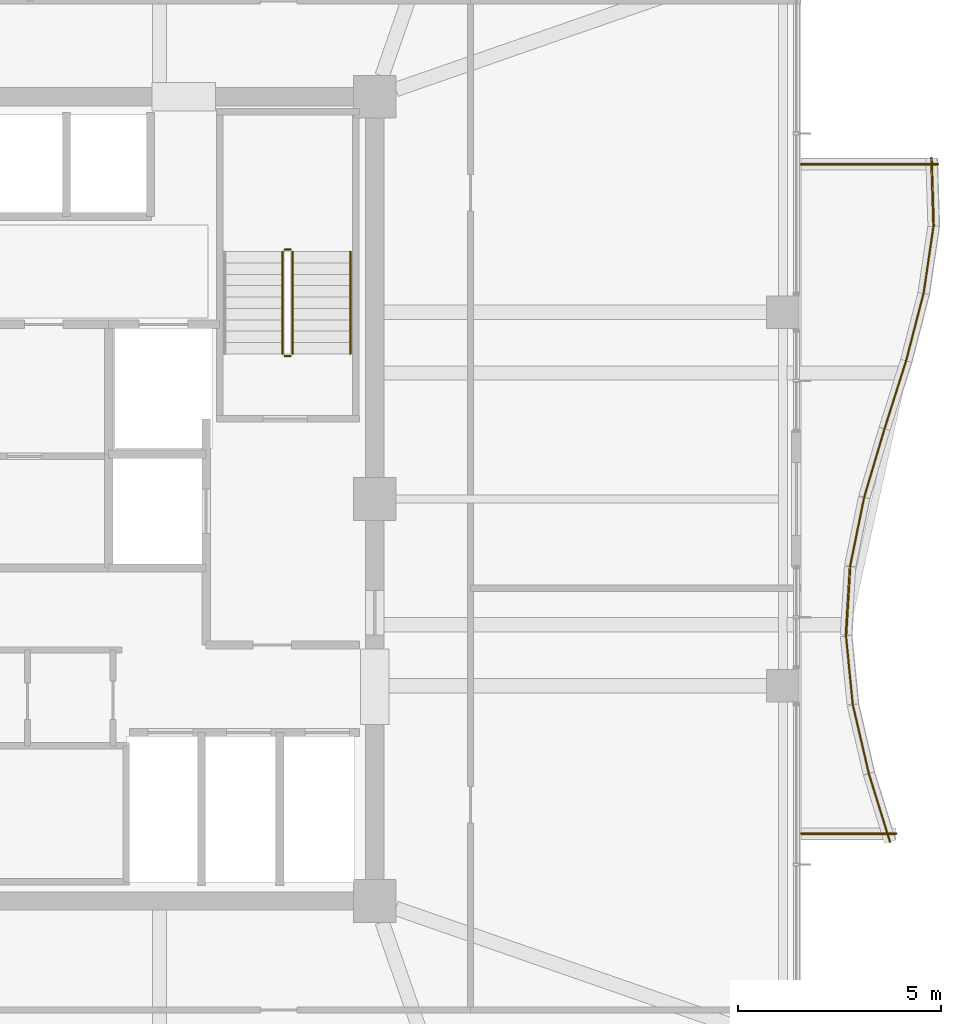
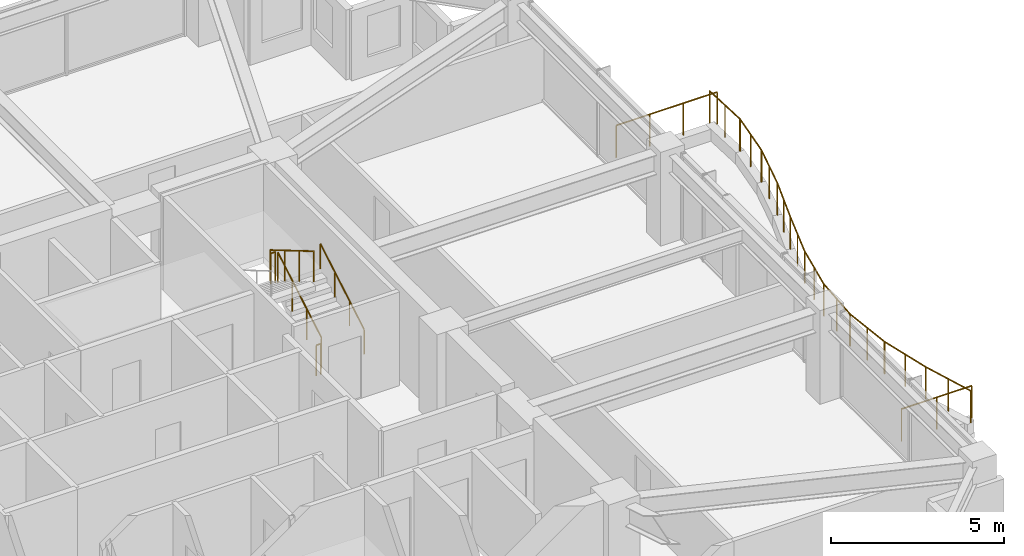
# One storey, part 34 of 34: 17 railings.
"""IFC4 building model written with IfcOpenShell, lengths in metres."""

from ifc_helpers import new_model, si_unit, direction, frame, origin, origin_2d, place, context, subcontext, project, spatial, circle, extrude, material, type_object, element, save


model = new_model("IFC4")

# Units and contexts
model_context = context("Model", 3, precision=1e-05, world=origin(), true_north=direction((0.0, 1.0)))
body_context = subcontext(model_context, "Body", "Model", "MODEL_VIEW")
ifc_project = project(units=[si_unit("LENGTHUNIT", "METRE"), si_unit("AREAUNIT", "SQUARE_METRE"), si_unit("VOLUMEUNIT", "CUBIC_METRE"), si_unit("PLANEANGLEUNIT", "RADIAN"), si_unit("MASSUNIT", "GRAM", prefix="KILO")], contexts=[model_context])

# Site, building, storey
site_placement = place(None, origin())
site = spatial("IfcSite", under=ifc_project, at=site_placement, CompositionType="ELEMENT")
building_placement = place(site_placement, origin())
building = spatial("IfcBuilding", under=site, at=building_placement, Name="Kolvaren Belvedere", CompositionType="ELEMENT")
storey_placement = place(building_placement, frame((0.0, 0.0, 222.89990234375)))
storey = spatial("IfcBuildingStorey", under=building, at=storey_placement, Name="L65", CompositionType="ELEMENT", Elevation=222.89990234375)

# Railings
ifc_material_1 = material(Name="Anodised pale-metal aluminium & laminated glass guard", Category="aluminium")
railing_type_1 = type_object("IfcRailingType", Name="RL-GUARD-1150", PredefinedType="GUARDRAIL", material=ifc_material_1)
railing_1_placement = place(storey_placement, frame((22.587158203125, -8.447265625, 0.380126953125)))
element("IfcRailing", 1, at=railing_1_placement, inside=storey, type_object=railing_type_1, Name="L65 Exterior Deck Safety Guard BAL-E-1", PredefinedType="GUARDRAIL", context=body_context, shape_type="SweptSolid", body=[
    extrude(circle(Radius=0.02392578125, at=origin_2d()), frame((0.0, 0.0, 1.1259765625), z_axis=(-0.295831524561, 0.95524013163, 0.0), x_axis=(-0.95524013163, -0.295831524561, 0.0)), (0.0, 0.0, 1.0), 1.758544921875),
    extrude(circle(Radius=0.02099609375, at=origin_2d()), origin(), (0.0, 0.0, 1.0), 1.101806640625),
    extrude(circle(Radius=0.02099609375, at=origin_2d()), frame((-0.26025390625, 0.83984375, 0.0)), (0.0, 0.0, 1.0), 1.101806640625),
    extrude(circle(Radius=0.02099609375, at=origin_2d()), frame((-0.520263671875, 1.679931640625, 0.0)), (0.0, 0.0, 1.0), 1.101806640625),
])
railing_2_placement = place(storey_placement, frame((22.06396484375, -6.75634765625, 0.380126953125)))
element("IfcRailing", 2, at=railing_2_placement, inside=storey, type_object=railing_type_1, Name="L65 Exterior Deck Safety Guard BAL-E-2", PredefinedType="GUARDRAIL", context=body_context, shape_type="SweptSolid", body=[
    extrude(circle(Radius=0.02392578125, at=origin_2d()), frame((0.0, 0.0, 1.1259765625), z_axis=(-0.227019323824, 0.973890253884, 0.0), x_axis=(-0.973890253884, -0.227019323824, 0.0)), (0.0, 0.0, 1.0), 1.724853515625),
    extrude(circle(Radius=0.02099609375, at=origin_2d()), origin(), (0.0, 0.0, 1.0), 1.101806640625),
    extrude(circle(Radius=0.02099609375, at=origin_2d()), frame((-0.19580078125, 0.83984375, 0.0)), (0.0, 0.0, 1.0), 1.101806640625),
    extrude(circle(Radius=0.02099609375, at=origin_2d()), frame((-0.3916015625, 1.679931640625, 0.0)), (0.0, 0.0, 1.0), 1.101806640625),
])
railing_3_placement = place(storey_placement, frame((21.6689453125, -5.0556640625, 0.380126953125)))
element("IfcRailing", 3, at=railing_3_placement, inside=storey, type_object=railing_type_1, Name="L65 Exterior Deck Safety Guard BAL-E-3", PredefinedType="GUARDRAIL", context=body_context, shape_type="SweptSolid", body=[
    extrude(circle(Radius=0.02392578125, at=origin_2d()), frame((0.0, 0.0, 1.1259765625), z_axis=(-0.098343801694, 0.995152499202, 0.0), x_axis=(-0.995152499202, -0.098343801694, 0.0)), (0.0, 0.0, 1.0), 1.688232421875),
    extrude(circle(Radius=0.02099609375, at=origin_2d()), origin(), (0.0, 0.0, 1.0), 1.101806640625),
    extrude(circle(Radius=0.02099609375, at=origin_2d()), frame((-0.0830078125, 0.83984375, 0.0)), (0.0, 0.0, 1.0), 1.101806640625),
    extrude(circle(Radius=0.02099609375, at=origin_2d()), frame((-0.166015625, 1.679931640625, 0.0)), (0.0, 0.0, 1.0), 1.101806640625),
])
railing_4_placement = place(storey_placement, frame((21.50244140625, -3.350341796875, 0.380126953125)))
element("IfcRailing", 4, at=railing_4_placement, inside=storey, type_object=railing_type_1, Name="L65 Exterior Deck Safety Guard BAL-E-4", PredefinedType="GUARDRAIL", context=body_context, shape_type="SweptSolid", body=[
    extrude(circle(Radius=0.02392578125, at=origin_2d()), frame((0.0, 0.0, 1.1259765625), z_axis=(0.059767979379, 0.998212296378, 0.0), x_axis=(-0.998212296378, 0.059767979379, 0.0)), (0.0, 0.0, 1.0), 1.682861328125),
    extrude(circle(Radius=0.02099609375, at=origin_2d()), origin(), (0.0, 0.0, 1.0), 1.101806640625),
    extrude(circle(Radius=0.02099609375, at=origin_2d()), frame((0.05029296875, 0.83984375, 0.0)), (0.0, 0.0, 1.0), 1.101806640625),
    extrude(circle(Radius=0.02099609375, at=origin_2d()), frame((0.1005859375, 1.679931640625, 0.0)), (0.0, 0.0, 1.0), 1.101806640625),
])
railing_5_placement = place(storey_placement, frame((21.60595703125, -1.64794921875, 0.380126953125)))
element("IfcRailing", 5, at=railing_5_placement, inside=storey, type_object=railing_type_1, Name="L65 Exterior Deck Safety Guard BAL-E-5", PredefinedType="GUARDRAIL", context=body_context, shape_type="SweptSolid", body=[
    extrude(circle(Radius=0.02392578125, at=origin_2d()), frame((0.0, 0.0, 1.1259765625), z_axis=(0.199784246163, 0.979839912937, 0.0), x_axis=(-0.979839912937, 0.199784246163, 0.0)), (0.0, 0.0, 1.0), 1.714599609375),
    extrude(circle(Radius=0.02099609375, at=origin_2d()), origin(), (0.0, 0.0, 1.0), 1.101806640625),
    extrude(circle(Radius=0.02099609375, at=origin_2d()), frame((0.17138671875, 0.83984375, 0.0)), (0.0, 0.0, 1.0), 1.101806640625),
    extrude(circle(Radius=0.02099609375, at=origin_2d()), frame((0.342529296875, 1.679931640625, 0.0)), (0.0, 0.0, 1.0), 1.101806640625),
])
railing_6_placement = place(storey_placement, frame((21.951904296875, 0.045654296875, 0.380126953125)))
element("IfcRailing", 6, at=railing_6_placement, inside=storey, type_object=railing_type_1, Name="L65 Exterior Deck Safety Guard BAL-E-6", PredefinedType="GUARDRAIL", context=body_context, shape_type="SweptSolid", body=[
    extrude(circle(Radius=0.02392578125, at=origin_2d()), frame((0.0, 0.0, 1.1259765625), z_axis=(0.284880325779, 0.95856309129, 0.0), x_axis=(-0.95856309129, 0.284880325779, 0.0)), (0.0, 0.0, 1.0), 1.75244140625),
    extrude(circle(Radius=0.02099609375, at=origin_2d()), origin(), (0.0, 0.0, 1.0), 1.101806640625),
    extrude(circle(Radius=0.02099609375, at=origin_2d()), frame((0.24951171875, 0.83984375, 0.0)), (0.0, 0.0, 1.0), 1.101806640625),
    extrude(circle(Radius=0.02099609375, at=origin_2d()), frame((0.499267578125, 1.679931640625, 0.0)), (0.0, 0.0, 1.0), 1.101806640625),
])
railing_7_placement = place(storey_placement, frame((22.4521484375, 1.728515625, 0.380126953125)))
element("IfcRailing", 7, at=railing_7_placement, inside=storey, type_object=railing_type_1, Name="L65 Exterior Deck Safety Guard BAL-E-7", PredefinedType="GUARDRAIL", context=body_context, shape_type="SweptSolid", body=[
    extrude(circle(Radius=0.02392578125, at=origin_2d()), frame((0.0, 0.0, 1.1259765625), z_axis=(0.302397356111, 0.953181954832, 0.0), x_axis=(-0.953181954832, 0.302397356111, 0.0)), (0.0, 0.0, 1.0), 1.762451171875),
    extrude(circle(Radius=0.02099609375, at=origin_2d()), origin(), (0.0, 0.0, 1.0), 1.101806640625),
    extrude(circle(Radius=0.02099609375, at=origin_2d()), frame((0.2666015625, 0.83984375, 0.0)), (0.0, 0.0, 1.0), 1.101806640625),
    extrude(circle(Radius=0.02099609375, at=origin_2d()), frame((0.532958984375, 1.679931640625, 0.0)), (0.0, 0.0, 1.0), 1.101806640625),
])
railing_8_placement = place(storey_placement, frame((22.982666015625, 3.400146484375, 0.380126953125)))
element("IfcRailing", 8, at=railing_8_placement, inside=storey, type_object=railing_type_1, Name="L65 Exterior Deck Safety Guard BAL-E-8", PredefinedType="GUARDRAIL", context=body_context, shape_type="SweptSolid", body=[
    extrude(circle(Radius=0.02392578125, at=origin_2d()), frame((0.0, 0.0, 1.1259765625), z_axis=(0.250439664624, 0.968132209145, 0.0), x_axis=(-0.968132209145, 0.250439664624, 0.0)), (0.0, 0.0, 1.0), 1.7353515625),
    extrude(circle(Radius=0.02099609375, at=origin_2d()), origin(), (0.0, 0.0, 1.0), 1.101806640625),
    extrude(circle(Radius=0.02099609375, at=origin_2d()), frame((0.21728515625, 0.83984375, 0.0)), (0.0, 0.0, 1.0), 1.101806640625),
    extrude(circle(Radius=0.02099609375, at=origin_2d()), frame((0.4345703125, 1.679931640625, 0.0)), (0.0, 0.0, 1.0), 1.101806640625),
])
railing_9_placement = place(storey_placement, frame((23.413818359375, 5.063232421875, 0.380126953125)))
element("IfcRailing", 9, at=railing_9_placement, inside=storey, type_object=railing_type_1, Name="L65 Exterior Deck Safety Guard BAL-E-9", PredefinedType="GUARDRAIL", context=body_context, shape_type="SweptSolid", body=[
    extrude(circle(Radius=0.02392578125, at=origin_2d()), frame((0.0, 0.0, 1.1259765625), z_axis=(0.145907826437, 0.98929818871, 0.0), x_axis=(-0.98929818871, 0.145907826437, 0.0)), (0.0, 0.0, 1.0), 1.6982421875),
    extrude(circle(Radius=0.02099609375, at=origin_2d()), origin(), (0.0, 0.0, 1.0), 1.101806640625),
    extrude(circle(Radius=0.02099609375, at=origin_2d()), frame((0.1240234375, 0.840087890625, 0.0)), (0.0, 0.0, 1.0), 1.101806640625),
    extrude(circle(Radius=0.02099609375, at=origin_2d()), frame((0.247802734375, 1.68017578125, 0.0)), (0.0, 0.0, 1.0), 1.101806640625),
])
railing_10_placement = place(storey_placement, frame((23.66015625, 6.715087890625, 0.380126953125)))
element("IfcRailing", 10, at=railing_10_placement, inside=storey, type_object=railing_type_1, Name="L65 Exterior Deck Safety Guard BAL-E-10", PredefinedType="GUARDRAIL", context=body_context, shape_type="SweptSolid", body=[
    extrude(circle(Radius=0.02392578125, at=origin_2d()), frame((0.0, 0.0, 1.1259765625), z_axis=(-0.031520443874, 0.999503107358, 0.0), x_axis=(-0.999503107358, -0.031520443874, 0.0)), (0.0, 0.0, 1.0), 1.6806640625),
    extrude(circle(Radius=0.02099609375, at=origin_2d()), origin(), (0.0, 0.0, 1.0), 1.101806640625),
    extrude(circle(Radius=0.02099609375, at=origin_2d()), frame((-0.0263671875, 0.83984375, 0.0)), (0.0, 0.0, 1.0), 1.101806640625),
    extrude(circle(Radius=0.02099609375, at=origin_2d()), frame((-0.052978515625, 1.679931640625, 0.0)), (0.0, 0.0, 1.0), 1.101806640625),
])
railing_11_placement = place(storey_placement, frame((23.76708984375, 8.239990234375, 0.380126953125)))
element("IfcRailing", 11, at=railing_11_placement, inside=storey, type_object=railing_type_1, Name="L65 Exterior Deck Safety Guard BAL-E-11", PredefinedType="GUARDRAIL", context=body_context, shape_type="SweptSolid", body=[
    extrude(circle(Radius=0.02392578125, at=origin_2d()), frame((0.0, 0.0, 1.1259765625), z_axis=(-1.0, 0.0, 0.0), x_axis=(0.0, -1.0, 0.0)), (0.0, 0.0, 1.0), 3.3671875),
    extrude(circle(Radius=0.02099609375, at=origin_2d()), origin(), (0.0, 0.0, 1.0), 1.101806640625),
    extrude(circle(Radius=0.02099609375, at=origin_2d()), frame((-1.122314453125, 0.0, 0.0)), (0.0, 0.0, 1.0), 1.101806640625),
    extrude(circle(Radius=0.02099609375, at=origin_2d()), frame((-2.244873046875, 0.0, 0.0)), (0.0, 0.0, 1.0), 1.101806640625),
    extrude(circle(Radius=0.02099609375, at=origin_2d()), frame((-3.3671875, 0.0, 0.0)), (0.0, 0.0, 1.0), 1.101806640625),
])
railing_12_placement = place(storey_placement, frame((20.39990234375, -8.239990234375, 0.380126953125)))
element("IfcRailing", 12, at=railing_12_placement, inside=storey, type_object=railing_type_1, Name="L65 Exterior Deck Safety Guard BAL-E-22", PredefinedType="GUARDRAIL", context=body_context, shape_type="SweptSolid", body=[
    extrude(circle(Radius=0.02392578125, at=origin_2d()), frame((0.0, 0.0, 1.1259765625), z_axis=(1.0, 0.0, 0.0), x_axis=(0.0, 1.0, 0.0)), (0.0, 0.0, 1.0), 2.340087890625),
    extrude(circle(Radius=0.02099609375, at=origin_2d()), origin(), (0.0, 0.0, 1.0), 1.101806640625),
    extrude(circle(Radius=0.02099609375, at=origin_2d()), frame((1.169921875, 0.0, 0.0)), (0.0, 0.0, 1.0), 1.101806640625),
    extrude(circle(Radius=0.02099609375, at=origin_2d()), frame((2.340087890625, 0.0, 0.0)), (0.0, 0.0, 1.0), 1.101806640625),
])
ifc_material_2 = material(Name="Brushed stainless-steel handrail", Category="steel")
railing_type_2 = type_object("IfcRailingType", Name="RL-HANDRAIL-920", PredefinedType="HANDRAIL", material=ifc_material_2)
railing_13_placement = place(storey_placement, frame((9.300048828125, 3.570068359375, 0.1650390625)))
element("IfcRailing", 13, at=railing_13_placement, inside=storey, type_object=railing_type_2, Name="L65 ST-2 stair handrail 1", PredefinedType="HANDRAIL", context=body_context, shape_type="SweptSolid", body=[
    extrude(circle(Radius=0.02392578125, at=origin_2d()), frame((0.0, 0.0, 0.8759765625), z_axis=(0.0, 0.86152411907, 0.507716645641), x_axis=(-1.0, 0.0, 0.0)), (0.0, 0.0, 1.0), 2.925048828125),
    extrude(circle(Radius=0.02099609375, at=origin_2d()), origin(), (0.0, 0.0, 1.0), 0.851806640625),
    extrude(circle(Radius=0.02099609375, at=origin_2d()), frame((0.0, 0.840087890625, 0.4951171875)), (0.0, 0.0, 1.0), 0.851806640625),
    extrude(circle(Radius=0.02099609375, at=origin_2d()), frame((0.0, 1.679931640625, 0.989990234375)), (0.0, 0.0, 1.0), 0.851806640625),
    extrude(circle(Radius=0.02099609375, at=origin_2d()), frame((0.0, 2.52001953125, 1.485107421875)), (0.0, 0.0, 1.0), 0.851806640625),
])
ifc_material_3 = material(Name="Painted tubular steel stair guard", Category="steel")
railing_type_3 = type_object("IfcRailingType", Name="RL-STGUARD-1100", PredefinedType="GUARDRAIL", material=ifc_material_3)
railing_14_placement = place(storey_placement, frame((7.8798828125, 3.570068359375, 0.1650390625)))
element("IfcRailing", 14, at=railing_14_placement, inside=storey, type_object=railing_type_3, Name="L65 ST-2 stair guard 1", PredefinedType="GUARDRAIL", context=body_context, shape_type="SweptSolid", body=[
    extrude(circle(Radius=0.02392578125, at=origin_2d()), frame((0.0, 0.0, 1.076171875), z_axis=(0.0, 0.86152411907, 0.507716645641), x_axis=(-1.0, 0.0, 0.0)), (0.0, 0.0, 1.0), 2.925048828125),
    extrude(circle(Radius=0.02099609375, at=origin_2d()), origin(), (0.0, 0.0, 1.0), 1.052001953125),
    extrude(circle(Radius=0.02099609375, at=origin_2d()), frame((0.0, 0.840087890625, 0.4951171875)), (0.0, 0.0, 1.0), 1.052001953125),
    extrude(circle(Radius=0.02099609375, at=origin_2d()), frame((0.0, 1.679931640625, 0.989990234375)), (0.0, 0.0, 1.0), 1.052001953125),
    extrude(circle(Radius=0.02099609375, at=origin_2d()), frame((0.0, 2.52001953125, 1.485107421875)), (0.0, 0.0, 1.0), 1.052001953125),
])
railing_15_placement = place(storey_placement, frame((7.830078125, 6.139892578125, 1.650146484375)))
element("IfcRailing", 15, at=railing_15_placement, inside=storey, type_object=railing_type_3, Name="L65 ST-2 stair guard 2", PredefinedType="GUARDRAIL", context=body_context, shape_type="SweptSolid", body=[
    extrude(circle(Radius=0.02392578125, at=origin_2d()), frame((0.0, 0.0, 1.076171875), z_axis=(-1.0, 0.0, 0.0), x_axis=(0.0, -1.0, 0.0)), (0.0, 0.0, 1.0), 0.150146484375),
    extrude(circle(Radius=0.02099609375, at=origin_2d()), origin(), (0.0, 0.0, 1.0), 1.052001953125),
    extrude(circle(Radius=0.02099609375, at=origin_2d()), frame((-0.150146484375, 0.0, 0.0)), (0.0, 0.0, 1.0), 1.052001953125),
])
railing_16_placement = place(storey_placement, frame((7.6298828125, 6.090087890625, 1.815185546875)))
element("IfcRailing", 16, at=railing_16_placement, inside=storey, type_object=railing_type_3, Name="L65 ST-2 stair guard 3", PredefinedType="GUARDRAIL", context=body_context, shape_type="SweptSolid", body=[
    extrude(circle(Radius=0.02392578125, at=origin_2d()), frame((0.0, 0.0, 1.076171875), z_axis=(0.0, -0.861560626758, 0.507654692109), x_axis=(1.0, 0.0, 0.0)), (0.0, 0.0, 1.0), 2.925048828125),
    extrude(circle(Radius=0.02099609375, at=origin_2d()), origin(), (0.0, 0.0, 1.0), 1.052001953125),
    extrude(circle(Radius=0.02099609375, at=origin_2d()), frame((0.0, -0.840087890625, 0.494873046875)), (0.0, 0.0, 1.0), 1.052001953125),
    extrude(circle(Radius=0.02099609375, at=origin_2d()), frame((0.0, -1.679931640625, 0.989990234375)), (0.0, 0.0, 1.0), 1.052001953125),
    extrude(circle(Radius=0.02099609375, at=origin_2d()), frame((0.0, -2.52001953125, 1.48486328125)), (0.0, 0.0, 1.0), 1.052001953125),
])
railing_17_placement = place(storey_placement, frame((7.830078125, 3.52001953125, 0.0)))
element("IfcRailing", 17, at=railing_17_placement, inside=storey, type_object=railing_type_3, Name="L65 ST-2 stair guard 4", PredefinedType="GUARDRAIL", context=body_context, shape_type="SweptSolid", body=[
    extrude(circle(Radius=0.02392578125, at=origin_2d()), frame((0.0, 0.0, 1.076171875), z_axis=(-1.0, 0.0, 0.0), x_axis=(0.0, -1.0, 0.0)), (0.0, 0.0, 1.0), 0.150146484375),
    extrude(circle(Radius=0.02099609375, at=origin_2d()), origin(), (0.0, 0.0, 1.0), 1.052001953125),
    extrude(circle(Radius=0.02099609375, at=origin_2d()), frame((-0.150146484375, 0.0, 0.0)), (0.0, 0.0, 1.0), 1.052001953125),
])

save(model, "model.ifc")
